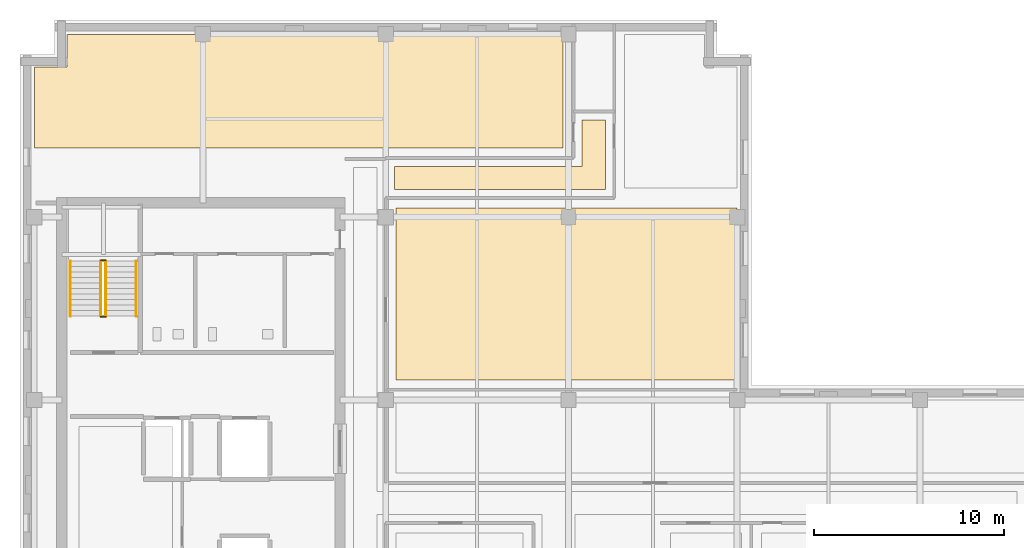
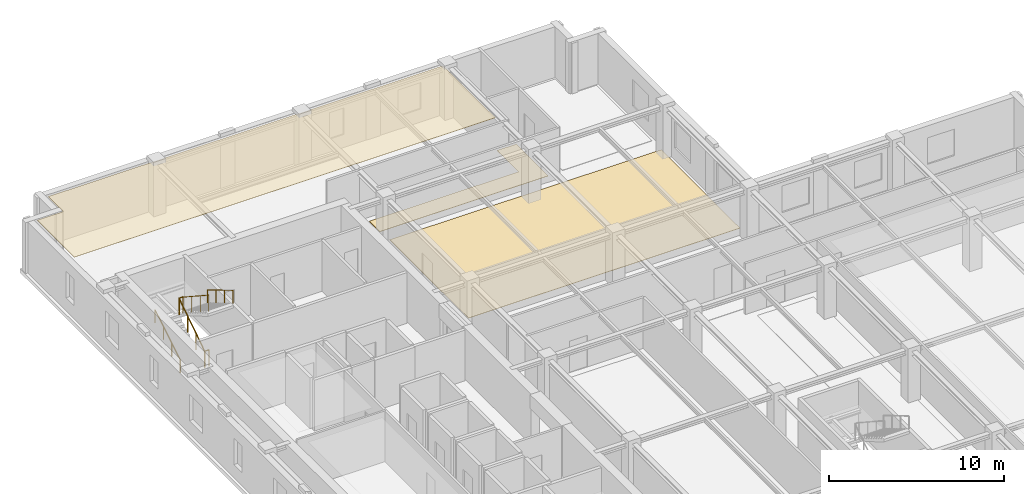
# One storey, part 10 of 12: 6 railings, 3 coverings.
"""IFC4 building model written with IfcOpenShell, lengths in metres."""

from ifc_helpers import new_model, si_unit, direction, frame, origin, origin_2d, place, context, subcontext, project, spatial, polyline, circle, outline, extrude, material, layer, layer_set, type_object, element, save


model = new_model("IFC4")

# Units and contexts
model_context = context("Model", 3, precision=1e-05, world=origin(), true_north=direction((0.0, 1.0)))
body_context = subcontext(model_context, "Body", "Model", "MODEL_VIEW")
ifc_project = project(units=[si_unit("LENGTHUNIT", "METRE"), si_unit("AREAUNIT", "SQUARE_METRE"), si_unit("VOLUMEUNIT", "CUBIC_METRE"), si_unit("PLANEANGLEUNIT", "RADIAN"), si_unit("MASSUNIT", "GRAM", prefix="KILO")], contexts=[model_context])

# Site, building, storey
site_placement = place(None, origin())
site = spatial("IfcSite", under=ifc_project, at=site_placement, CompositionType="ELEMENT")
building_placement = place(site_placement, origin())
building = spatial("IfcBuilding", under=site, at=building_placement, Name="Norrvale University Quadrangle", CompositionType="ELEMENT")
storey_placement = place(building_placement, frame((0.0, 0.0, 237.0)))
storey = spatial("IfcBuildingStorey", under=building, at=storey_placement, Name="L60", CompositionType="ELEMENT", Elevation=237.0)

# Coverings
ifc_material_1 = material(Name="Perforated Acoustic Mineral Ceiling")
ifc_layer_1 = layer(ifc_material_1, 0.02490234375, Name="Perforated Acoustic Mineral Ceiling")
ifc_layer_set_1 = layer_set([ifc_layer_1], Name="Perforated Acoustic Mineral Ceiling")
covering_type_1 = type_object("IfcCoveringType", Name="Covering Acoustic Ceiling 25", PredefinedType="CEILING", material=ifc_layer_set_1)
covering_1_placement = place(storey_placement, frame((0.0, 0.0, 3.514892578125)))
element("IfcCovering", 1, at=covering_1_placement, inside=storey, type_object=covering_type_1, Name="Acoustic Ceiling RM-L60-NW01", PredefinedType="CEILING", context=body_context, shape_type="SweptSolid", body=[
    extrude(outline(polyline([(28.52001953125, 56.85009765625), (28.52001953125, 50.8798828125), (0.75, 50.8798828125), (0.75, 55.1298828125), (2.469970703125, 55.1298828125), (2.469970703125, 56.85009765625), (28.52001953125, 56.85009765625)])), origin(), (0.0, 0.0, 1.0), 0.025146484375),
])
ifc_material_2 = material(Name="Polished Terrazzo Flooring")
ifc_layer_2 = layer(ifc_material_2, 0.02490234375, Name="Polished Terrazzo Flooring")
ifc_layer_set_2 = layer_set([ifc_layer_2], Name="Polished Terrazzo Flooring")
covering_type_2 = type_object("IfcCoveringType", Name="Covering Terrazzo Floor 30", PredefinedType="FLOORING", material=ifc_layer_set_2)
covering_2_placement = place(storey_placement, origin())
element("IfcCovering", 2, at=covering_2_placement, inside=storey, type_object=covering_type_2, Name="Terrazzo Flooring RM-L60-NCJOG", PredefinedType="FLOORING", context=body_context, shape_type="SweptSolid", body=[
    extrude(outline(polyline([(19.64990234375, 48.699951171875), (19.64990234375, 49.89990234375), (29.5, 49.89990234375), (29.5, 52.35009765625), (30.75, 52.35009765625), (30.75, 48.699951171875), (19.64990234375, 48.699951171875)])), origin(), (0.0, 0.0, 1.0), 0.02490234375),
])
covering_3_placement = place(storey_placement, origin())
element("IfcCovering", 3, at=covering_3_placement, inside=storey, type_object=covering_type_2, Name="Terrazzo Flooring RM-L60-MNE01", PredefinedType="FLOORING", context=body_context, shape_type="SweptSolid", body=[
    extrude(outline(polyline([(19.72998046875, 47.719970703125), (37.64990234375, 47.719970703125), (37.64990234375, 38.7099609375), (19.72998046875, 38.7099609375), (19.72998046875, 47.719970703125)])), origin(), (0.0, 0.0, 1.0), 0.02490234375),
])

# Railings
ifc_material_3 = material(Name="Steel 350W Painted Balustrade", Category="steel")
railing_type_1 = type_object("IfcRailingType", Name="Railing Stair Guard 1100", PredefinedType="GUARDRAIL", material=ifc_material_3)
for number, where, name in (
    (4, (4.239990234375, 42.02001953125, 0.0), "Stair Floor Well Guard ST-02 L60"),
    (5, (4.239990234375, 44.97998046875, 1.89990234375), "Stair Mid-Landing Slot Guard ST-02 L60"),
):
    element("IfcRailing", number, at=place(storey_placement, frame(where)), inside=storey, type_object=railing_type_1, Name=name, PredefinedType="GUARDRAIL", context=body_context, shape_type="SweptSolid", body=[
        extrude(circle(Radius=0.02392578125, at=origin_2d()), frame((0.0, 0.0, 1.1259765625), z_axis=(1.0, 0.0, 0.0), x_axis=(0.0, 1.0, 0.0)), (0.0, 0.0, 1.0), 0.27001953125),
        extrude(circle(Radius=0.02099609375, at=origin_2d()), origin(), (0.0, 0.0, 1.0), 1.101806640625),
        extrude(circle(Radius=0.02099609375, at=origin_2d()), frame((0.27001953125, 0.0, 0.0)), (0.0, 0.0, 1.0), 1.101806640625),
    ])
railing_1_placement = place(storey_placement, frame((4.239990234375, 42.050048828125, 0.0)))
element("IfcRailing", 6, at=railing_1_placement, inside=storey, type_object=railing_type_1, Name="Stair Lower Flight Inner Guard ST-02 L60", PredefinedType="GUARDRAIL", context=body_context, shape_type="SweptSolid", body=[
    extrude(circle(Radius=0.02392578125, at=origin_2d()), frame((0.0, 0.0, 1.1259765625), z_axis=(0.0, 0.836465582154, 0.548019461216), x_axis=(-1.0, 0.0, 0.0)), (0.0, 0.0, 1.0), 3.466796875),
    extrude(circle(Radius=0.02099609375, at=origin_2d()), origin(), (0.0, 0.0, 1.0), 1.101806640625),
    extrude(circle(Radius=0.02099609375, at=origin_2d()), frame((0.0, 0.966552734375, 0.63330078125)), (0.0, 0.0, 1.0), 1.101806640625),
    extrude(circle(Radius=0.02099609375, at=origin_2d()), frame((0.0, 1.933349609375, 1.2666015625)), (0.0, 0.0, 1.0), 1.101806640625),
    extrude(circle(Radius=0.02099609375, at=origin_2d()), frame((0.0, 2.89990234375, 1.89990234375)), (0.0, 0.0, 1.0), 1.101806640625),
])
railing_2_placement = place(storey_placement, frame((4.510009765625, 44.949951171875, 1.89990234375)))
element("IfcRailing", 7, at=railing_2_placement, inside=storey, type_object=railing_type_1, Name="Stair Upper Flight Inner Guard ST-02 L60", PredefinedType="GUARDRAIL", context=body_context, shape_type="SweptSolid", body=[
    extrude(circle(Radius=0.02392578125, at=origin_2d()), frame((0.0, 0.0, 1.1259765625), z_axis=(0.0, -0.836433300813, 0.548068730445), x_axis=(1.0, 0.0, 0.0)), (0.0, 0.0, 1.0), 3.467041015625),
    extrude(circle(Radius=0.02099609375, at=origin_2d()), origin(), (0.0, 0.0, 1.0), 1.101806640625),
    extrude(circle(Radius=0.02099609375, at=origin_2d()), frame((0.0, -0.966552734375, 0.63330078125)), (0.0, 0.0, 1.0), 1.101806640625),
    extrude(circle(Radius=0.02099609375, at=origin_2d()), frame((0.0, -1.933349609375, 1.266845703125)), (0.0, 0.0, 1.0), 1.101806640625),
    extrude(circle(Radius=0.02099609375, at=origin_2d()), frame((0.0, -2.89990234375, 1.900146484375)), (0.0, 0.0, 1.0), 1.101806640625),
])
ifc_material_4 = material(Name="Stainless Steel 316L Handrail", Category="steel")
railing_type_2 = type_object("IfcRailingType", Name="Railing Stair Handrail 920", PredefinedType="HANDRAIL", material=ifc_material_4)
railing_3_placement = place(storey_placement, frame((2.639892578125, 42.050048828125, 0.172607421875)))
element("IfcRailing", 8, at=railing_3_placement, inside=storey, type_object=railing_type_2, Name="Stair Lower Flight Handrail ST-02 L60", PredefinedType="HANDRAIL", context=body_context, shape_type="SweptSolid", body=[
    extrude(circle(Radius=0.02392578125, at=origin_2d()), frame((0.0, 0.0, 0.89599609375), z_axis=(0.0, 0.859141464434, 0.511738159696), x_axis=(-1.0, 0.0, 0.0)), (0.0, 0.0, 1.0), 3.375244140625),
    extrude(circle(Radius=0.02099609375, at=origin_2d()), origin(), (0.0, 0.0, 1.0), 0.871826171875),
    extrude(circle(Radius=0.02099609375, at=origin_2d()), frame((0.0, 0.966552734375, 0.57568359375)), (0.0, 0.0, 1.0), 0.871826171875),
    extrude(circle(Radius=0.02099609375, at=origin_2d()), frame((0.0, 1.933349609375, 1.151611328125)), (0.0, 0.0, 1.0), 0.871826171875),
    extrude(circle(Radius=0.02099609375, at=origin_2d()), frame((0.0, 2.89990234375, 1.727294921875)), (0.0, 0.0, 1.0), 0.871826171875),
])
railing_4_placement = place(storey_placement, frame((6.110107421875, 44.949951171875, 2.07275390625)))
element("IfcRailing", 9, at=railing_4_placement, inside=storey, type_object=railing_type_2, Name="Stair Upper Flight Handrail ST-02 L60", PredefinedType="HANDRAIL", context=body_context, shape_type="SweptSolid", body=[
    extrude(circle(Radius=0.02392578125, at=origin_2d()), frame((0.0, 0.0, 0.89599609375), z_axis=(0.0, -0.859141464434, 0.511738159696), x_axis=(1.0, 0.0, 0.0)), (0.0, 0.0, 1.0), 3.375244140625),
    extrude(circle(Radius=0.02099609375, at=origin_2d()), origin(), (0.0, 0.0, 1.0), 0.871826171875),
    extrude(circle(Radius=0.02099609375, at=origin_2d()), frame((0.0, -0.966552734375, 0.57568359375)), (0.0, 0.0, 1.0), 0.871826171875),
    extrude(circle(Radius=0.02099609375, at=origin_2d()), frame((0.0, -1.933349609375, 1.151611328125)), (0.0, 0.0, 1.0), 0.871826171875),
    extrude(circle(Radius=0.02099609375, at=origin_2d()), frame((0.0, -2.89990234375, 1.727294921875)), (0.0, 0.0, 1.0), 0.871826171875),
])

save(model, "model.ifc")
